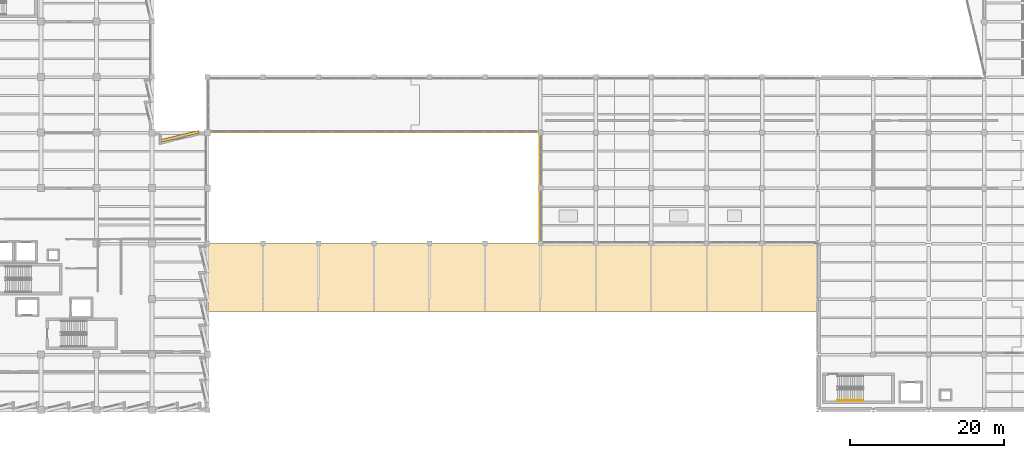
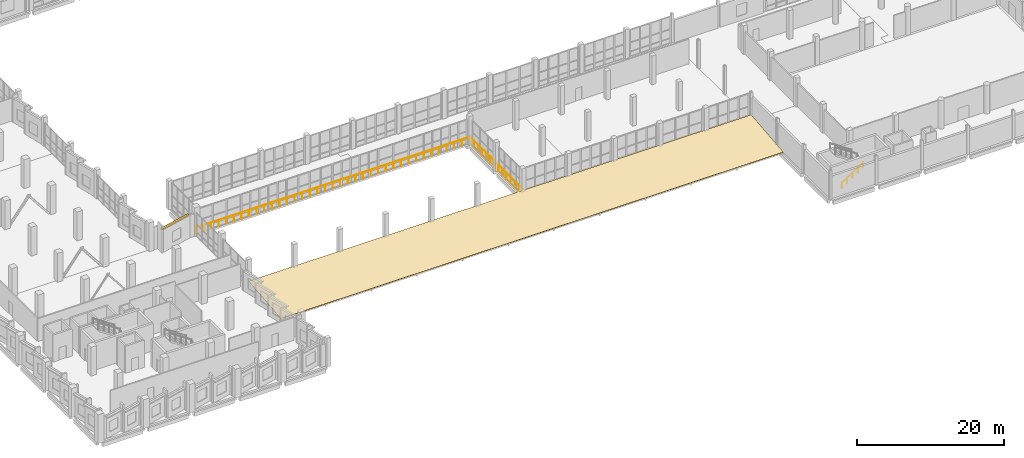
# One storey, part 112 of 127: 3 railings, 1 covering, 1 shading device, 1 element without a shape of its own.
"""IFC4 building model written with IfcOpenShell, lengths in metres."""

from ifc_helpers import new_model, si_unit, direction, frame, origin, origin_2d, place, context, subcontext, project, spatial, polyline, rectangle, circle, outline, extrude, material, layer, layer_set, type_object, element, aggregate, save


model = new_model("IFC4")

# Units and contexts
model_context = context("Model", 3, precision=1e-05, world=origin(), true_north=direction((0.0, 1.0)))
body_context = subcontext(model_context, "Body", "Model", "MODEL_VIEW")
ifc_project = project(units=[si_unit("LENGTHUNIT", "METRE"), si_unit("AREAUNIT", "SQUARE_METRE"), si_unit("VOLUMEUNIT", "CUBIC_METRE"), si_unit("PLANEANGLEUNIT", "RADIAN"), si_unit("MASSUNIT", "GRAM", prefix="KILO")], contexts=[model_context])

# Site, building, storey
site_placement = place(None, origin())
site = spatial("IfcSite", under=ifc_project, at=site_placement, CompositionType="ELEMENT")
building_placement = place(site_placement, origin())
building = spatial("IfcBuilding", under=site, at=building_placement, Name="Kalmorath City Hall", CompositionType="ELEMENT")
storey_placement = place(building_placement, frame((0.0, 0.0, 5.39990234375)))
storey = spatial("IfcBuildingStorey", under=building, at=storey_placement, Name="L01", CompositionType="ELEMENT", Elevation=5.39990234375)

# Railings
ifc_material_1 = material(Name="Stainless steel and laminated glass", Category="steel")
railing_type_1 = type_object("IfcRailingType", Name="Atrium and gallery crowd guardrail 1120", PredefinedType="GUARDRAIL", material=ifc_material_1)
railing_1_placement = place(storey_placement, frame((36.050048828125, 36.050048828125, 0.0)))
element("IfcRailing", 1, at=railing_1_placement, inside=storey, type_object=railing_type_1, Name="L01 indoor void guardrail #1", PredefinedType="GUARDRAIL", context=body_context, shape_type="SweptSolid", body=[
    extrude(circle(Radius=0.02392578125, at=origin_2d()), frame((0.0, 0.0, 1.09619140625), z_axis=(1.0, 0.0, 0.0), x_axis=(0.0, 1.0, 0.0)), (0.0, 0.0, 1.0), 43.099853515625),
    extrude(circle(Radius=0.02099609375, at=origin_2d()), origin(), (0.0, 0.0, 1.0), 1.072021484375),
    extrude(circle(Radius=0.02099609375, at=origin_2d()), frame((1.197265625, 0.0, 0.0)), (0.0, 0.0, 1.0), 1.072021484375),
    extrude(circle(Radius=0.02099609375, at=origin_2d()), frame((2.39453125, 0.0, 0.0)), (0.0, 0.0, 1.0), 1.072021484375),
    extrude(circle(Radius=0.02099609375, at=origin_2d()), frame((3.591552734375, 0.0, 0.0)), (0.0, 0.0, 1.0), 1.072021484375),
    extrude(circle(Radius=0.02099609375, at=origin_2d()), frame((4.788818359375, 0.0, 0.0)), (0.0, 0.0, 1.0), 1.072021484375),
    extrude(circle(Radius=0.02099609375, at=origin_2d()), frame((5.986083984375, 0.0, 0.0)), (0.0, 0.0, 1.0), 1.072021484375),
    extrude(circle(Radius=0.02099609375, at=origin_2d()), frame((7.183349609375, 0.0, 0.0)), (0.0, 0.0, 1.0), 1.072021484375),
    extrude(circle(Radius=0.02099609375, at=origin_2d()), frame((8.380615234375, 0.0, 0.0)), (0.0, 0.0, 1.0), 1.072021484375),
    extrude(circle(Radius=0.02099609375, at=origin_2d()), frame((9.57763671875, 0.0, 0.0)), (0.0, 0.0, 1.0), 1.072021484375),
    extrude(circle(Radius=0.02099609375, at=origin_2d()), frame((10.77490234375, 0.0, 0.0)), (0.0, 0.0, 1.0), 1.072021484375),
    extrude(circle(Radius=0.02099609375, at=origin_2d()), frame((11.97216796875, 0.0, 0.0)), (0.0, 0.0, 1.0), 1.072021484375),
    extrude(circle(Radius=0.02099609375, at=origin_2d()), frame((13.16943359375, 0.0, 0.0)), (0.0, 0.0, 1.0), 1.072021484375),
    extrude(circle(Radius=0.02099609375, at=origin_2d()), frame((14.36669921875, 0.0, 0.0)), (0.0, 0.0, 1.0), 1.072021484375),
    extrude(circle(Radius=0.02099609375, at=origin_2d()), frame((15.563720703125, 0.0, 0.0)), (0.0, 0.0, 1.0), 1.072021484375),
    extrude(circle(Radius=0.02099609375, at=origin_2d()), frame((16.760986328125, 0.0, 0.0)), (0.0, 0.0, 1.0), 1.072021484375),
    extrude(circle(Radius=0.02099609375, at=origin_2d()), frame((17.958251953125, 0.0, 0.0)), (0.0, 0.0, 1.0), 1.072021484375),
    extrude(circle(Radius=0.02099609375, at=origin_2d()), frame((19.155517578125, 0.0, 0.0)), (0.0, 0.0, 1.0), 1.072021484375),
    extrude(circle(Radius=0.02099609375, at=origin_2d()), frame((20.352783203125, 0.0, 0.0)), (0.0, 0.0, 1.0), 1.072021484375),
    extrude(circle(Radius=0.02099609375, at=origin_2d()), frame((21.5498046875, 0.0, 0.0)), (0.0, 0.0, 1.0), 1.072021484375),
    extrude(circle(Radius=0.02099609375, at=origin_2d()), frame((22.7470703125, 0.0, 0.0)), (0.0, 0.0, 1.0), 1.072021484375),
    extrude(circle(Radius=0.02099609375, at=origin_2d()), frame((23.9443359375, 0.0, 0.0)), (0.0, 0.0, 1.0), 1.072021484375),
    extrude(circle(Radius=0.02099609375, at=origin_2d()), frame((25.1416015625, 0.0, 0.0)), (0.0, 0.0, 1.0), 1.072021484375),
    extrude(circle(Radius=0.02099609375, at=origin_2d()), frame((26.3388671875, 0.0, 0.0)), (0.0, 0.0, 1.0), 1.072021484375),
    extrude(circle(Radius=0.02099609375, at=origin_2d()), frame((27.5361328125, 0.0, 0.0)), (0.0, 0.0, 1.0), 1.072021484375),
    extrude(circle(Radius=0.02099609375, at=origin_2d()), frame((28.733154296875, 0.0, 0.0)), (0.0, 0.0, 1.0), 1.072021484375),
    extrude(circle(Radius=0.02099609375, at=origin_2d()), frame((29.930419921875, 0.0, 0.0)), (0.0, 0.0, 1.0), 1.072021484375),
    extrude(circle(Radius=0.02099609375, at=origin_2d()), frame((31.127685546875, 0.0, 0.0)), (0.0, 0.0, 1.0), 1.072021484375),
    extrude(circle(Radius=0.02099609375, at=origin_2d()), frame((32.324951171875, 0.0, 0.0)), (0.0, 0.0, 1.0), 1.072021484375),
    extrude(circle(Radius=0.02099609375, at=origin_2d()), frame((33.522216796875, 0.0, 0.0)), (0.0, 0.0, 1.0), 1.072021484375),
    extrude(circle(Radius=0.02099609375, at=origin_2d()), frame((34.71923828125, 0.0, 0.0)), (0.0, 0.0, 1.0), 1.072021484375),
    extrude(circle(Radius=0.02099609375, at=origin_2d()), frame((35.91650390625, 0.0, 0.0)), (0.0, 0.0, 1.0), 1.072021484375),
    extrude(circle(Radius=0.02099609375, at=origin_2d()), frame((37.11376953125, 0.0, 0.0)), (0.0, 0.0, 1.0), 1.072021484375),
    extrude(circle(Radius=0.02099609375, at=origin_2d()), frame((38.31103515625, 0.0, 0.0)), (0.0, 0.0, 1.0), 1.072021484375),
    extrude(circle(Radius=0.02099609375, at=origin_2d()), frame((39.50830078125, 0.0, 0.0)), (0.0, 0.0, 1.0), 1.072021484375),
    extrude(circle(Radius=0.02099609375, at=origin_2d()), frame((40.705322265625, 0.0, 0.0)), (0.0, 0.0, 1.0), 1.072021484375),
    extrude(circle(Radius=0.02099609375, at=origin_2d()), frame((41.902587890625, 0.0, 0.0)), (0.0, 0.0, 1.0), 1.072021484375),
    extrude(circle(Radius=0.02099609375, at=origin_2d()), frame((43.099853515625, 0.0, 0.0)), (0.0, 0.0, 1.0), 1.072021484375),
])
railing_2_placement = place(storey_placement, frame((79.25, 21.64990234375, 0.0)))
element("IfcRailing", 2, at=railing_2_placement, inside=storey, type_object=railing_type_1, Name="L01 indoor void guardrail #2", PredefinedType="GUARDRAIL", context=body_context, shape_type="SweptSolid", body=[
    extrude(circle(Radius=0.02392578125, at=origin_2d()), frame((0.0, 0.0, 1.09619140625), z_axis=(0.0, 1.0, 0.0), x_axis=(-1.0, 0.0, 0.0)), (0.0, 0.0, 1.0), 14.400146484375),
    extrude(circle(Radius=0.02099609375, at=origin_2d()), origin(), (0.0, 0.0, 1.0), 1.072021484375),
    extrude(circle(Radius=0.02099609375, at=origin_2d()), frame((0.0, 1.107666015625, 0.0)), (0.0, 0.0, 1.0), 1.072021484375),
    extrude(circle(Radius=0.02099609375, at=origin_2d()), frame((0.0, 2.21533203125, 0.0)), (0.0, 0.0, 1.0), 1.072021484375),
    extrude(circle(Radius=0.02099609375, at=origin_2d()), frame((0.0, 3.322998046875, 0.0)), (0.0, 0.0, 1.0), 1.072021484375),
    extrude(circle(Radius=0.02099609375, at=origin_2d()), frame((0.0, 4.430908203125, 0.0)), (0.0, 0.0, 1.0), 1.072021484375),
    extrude(circle(Radius=0.02099609375, at=origin_2d()), frame((0.0, 5.53857421875, 0.0)), (0.0, 0.0, 1.0), 1.072021484375),
    extrude(circle(Radius=0.02099609375, at=origin_2d()), frame((0.0, 6.646240234375, 0.0)), (0.0, 0.0, 1.0), 1.072021484375),
    extrude(circle(Radius=0.02099609375, at=origin_2d()), frame((0.0, 7.75390625, 0.0)), (0.0, 0.0, 1.0), 1.072021484375),
    extrude(circle(Radius=0.02099609375, at=origin_2d()), frame((0.0, 8.861572265625, 0.0)), (0.0, 0.0, 1.0), 1.072021484375),
    extrude(circle(Radius=0.02099609375, at=origin_2d()), frame((0.0, 9.96923828125, 0.0)), (0.0, 0.0, 1.0), 1.072021484375),
    extrude(circle(Radius=0.02099609375, at=origin_2d()), frame((0.0, 11.0771484375, 0.0)), (0.0, 0.0, 1.0), 1.072021484375),
    extrude(circle(Radius=0.02099609375, at=origin_2d()), frame((0.0, 12.184814453125, 0.0)), (0.0, 0.0, 1.0), 1.072021484375),
    extrude(circle(Radius=0.02099609375, at=origin_2d()), frame((0.0, 13.29248046875, 0.0)), (0.0, 0.0, 1.0), 1.072021484375),
    extrude(circle(Radius=0.02099609375, at=origin_2d()), frame((0.0, 14.400146484375, 0.0)), (0.0, 0.0, 1.0), 1.072021484375),
])

# Shading device
ifc_material_2 = material(Name="Precast concrete C40/50", Category="concrete")
ifc_layer_1 = layer(ifc_material_2, 0.179931640625)
ifc_layer_set_1 = layer_set([ifc_layer_1], Name="Precast concrete C40/50")
shading_device_type = type_object("IfcShadingDeviceType", Name="Precast sawtooth brow sunshade 350", PredefinedType="USERDEFINED", material=ifc_layer_set_1)
shading_device_placement = place(storey_placement, frame((32.4462890625, 35.5263671875, 3.541015625), z_axis=(0.0, 0.0, 1.0), x_axis=(0.972369920398, 0.233445363856, 0.0)))
element("IfcShadingDevice", 3, at=shading_device_placement, inside=storey, type_object=shading_device_type, Name="L01 precast sawtooth hood #186", ObjectType="SUNSHADE", PredefinedType="USERDEFINED", context=body_context, shape_type="SweptSolid", body=[
    extrude(rectangle(XDim=5.086181640625, YDim=0.360107421875, at=origin_2d()), origin(), (0.0, 0.0, 1.0), 0.179931640625),
])

# Railing
ifc_material_3 = material(Name="Brushed stainless steel handrail", Category="steel")
railing_type_2 = type_object("IfcRailingType", Name="Stair pitch handrail 900", PredefinedType="HANDRAIL", material=ifc_material_3)
railing_3_placement = place(storey_placement, frame((117.75, 1.25, 0.184814453125)))
element("IfcRailing", 4, at=railing_3_placement, inside=storey, type_object=railing_type_2, Name="L01 ST-5 stair handrail 1", PredefinedType="HANDRAIL", context=body_context, shape_type="SweptSolid", body=[
    extrude(circle(Radius=0.02392578125, at=origin_2d()), frame((0.0, 0.0, 0.8759765625), z_axis=(0.834876476806, 0.0, 0.550437342915), x_axis=(0.0, 1.0, 0.0)), (0.0, 0.0, 1.0), 4.024658203125),
    extrude(circle(Radius=0.02099609375, at=origin_2d()), origin(), (0.0, 0.0, 1.0), 0.851806640625),
    extrude(circle(Radius=0.02099609375, at=origin_2d()), frame((0.840087890625, 0.0, 0.5537109375)), (0.0, 0.0, 1.0), 0.851806640625),
    extrude(circle(Radius=0.02099609375, at=origin_2d()), frame((1.68017578125, 0.0, 1.107666015625)), (0.0, 0.0, 1.0), 0.851806640625),
    extrude(circle(Radius=0.02099609375, at=origin_2d()), frame((2.52001953125, 0.0, 1.66162109375)), (0.0, 0.0, 1.0), 0.851806640625),
    extrude(circle(Radius=0.02099609375, at=origin_2d()), frame((3.360107421875, 0.0, 2.21533203125)), (0.0, 0.0, 1.0), 0.851806640625),
])

# Roof, covering
ifc_material_4 = material(Name="Concrete C40/50", Category="concrete")
roof_type = type_object("IfcRoofType", Name="Folded-plate steel and concrete roof assembly", PredefinedType="GABLE_ROOF", material=ifc_material_4)
roof_placement = place(storey_placement, origin())
roof = element("IfcRoof", 5, at=roof_placement, inside=storey, type_object=roof_type, Name="L01 roof assembly RFG-ARC", PredefinedType="GABLE_ROOF")
ifc_material_5 = material(Name="Weathered zinc standing-seam roofing")
ifc_layer_2 = layer(ifc_material_5, 0.050048828125)
ifc_layer_set_2 = layer_set([ifc_layer_2], Name="Weathered zinc standing-seam roofing")
covering_type = type_object("IfcCoveringType", Name="Standing-seam hurricane roof covering", PredefinedType="ROOFING", material=ifc_layer_set_2)
covering_placement = place(storey_placement, frame((36.0, 12.800048828125, 0.050048828125), z_axis=(0.0, -0.101757844754, 0.994809198304), x_axis=(1.0, 0.0, 0.0)))
covering = element("IfcCovering", 6, at=covering_placement, type_object=covering_type, Name="L01 standing-seam roof covering RFG-ARC", PredefinedType="ROOFING", context=body_context, shape_type="SweptSolid", body=[
    extrude(outline(polyline([(0.0, 0.0), (79.199951171875, 0.0), (79.199951171875, 8.845966485959398), (0.0, 8.845966485959398), (0.0, 0.0)])), origin(), (0.0, 0.0, -1.0), 0.050048828125),
])
aggregate(roof, [covering])

save(model, "model.ifc")
